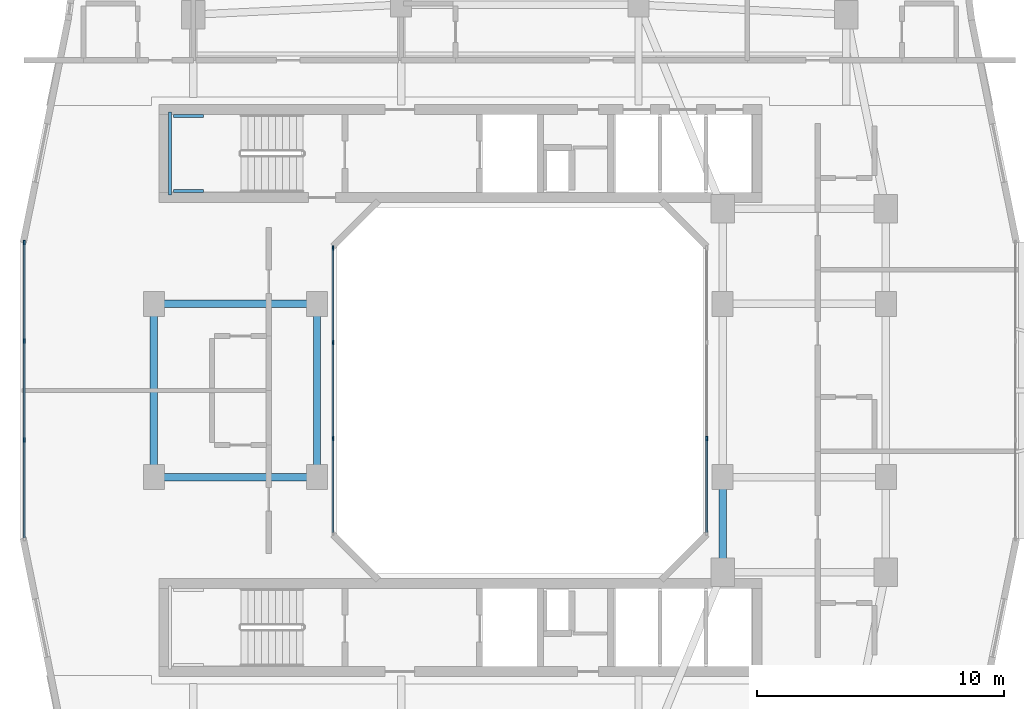
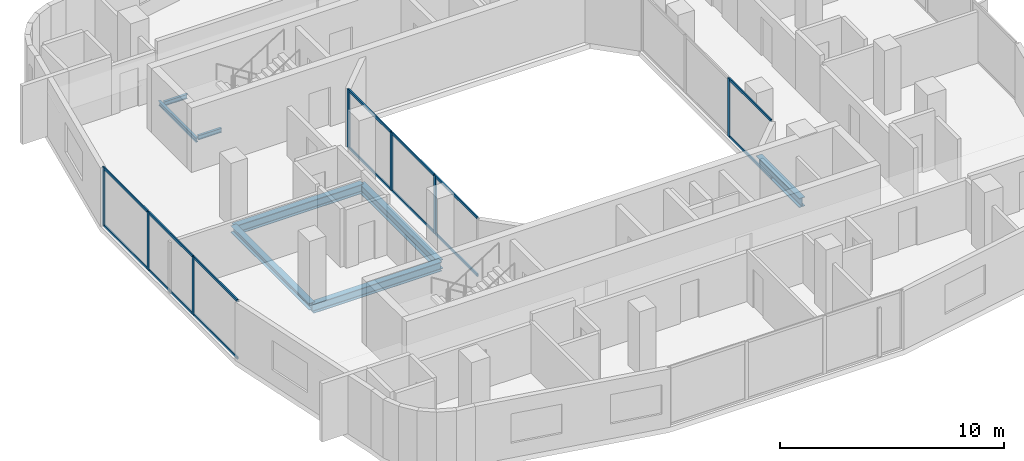
# One storey, part 3 of 26: 21 members, 8 beams, 3 elements without a shape of their own.
"""IFC4 building model written with IfcOpenShell, lengths in metres."""

from ifc_helpers import new_model, si_unit, derived_unit, direction, frame, origin, origin_2d, place, context, subcontext, project, spatial, rectangle, i_section, extrude, material, layer, layer_set, material_profile, profile_set, type_object, element, aggregate, save


model = new_model("IFC4")

# Units and contexts
model_context = context("Model", 3, precision=1e-05, world=origin(), true_north=direction((0.0, 1.0)))
body_context = subcontext(model_context, "Body", "Model", "MODEL_VIEW")
ifc_project = project(units=[si_unit("LENGTHUNIT", "METRE"), si_unit("AREAUNIT", "SQUARE_METRE"), si_unit("VOLUMEUNIT", "CUBIC_METRE"), si_unit("PLANEANGLEUNIT", "RADIAN"), si_unit("MASSUNIT", "GRAM", prefix="KILO"), derived_unit("THERMALTRANSMITTANCEUNIT", [(si_unit("POWERUNIT", "WATT"), 1), (si_unit("LENGTHUNIT", "METRE"), -2), (si_unit("THERMODYNAMICTEMPERATUREUNIT", "KELVIN"), -1)])], contexts=[model_context])

# Site, building, storey
site_placement = place(None, origin())
site = spatial("IfcSite", under=ifc_project, at=site_placement, CompositionType="ELEMENT")
building_placement = place(site_placement, origin())
building = spatial("IfcBuilding", under=site, at=building_placement, Name="Kivonza Crest Hotel", CompositionType="ELEMENT")
storey_placement = place(building_placement, frame((0.0, 0.0, 116.0)))
storey = spatial("IfcBuildingStorey", under=building, at=storey_placement, Name="L31", CompositionType="ELEMENT", Elevation=116.0)

# Beams
ifc_material_1 = material(Name="Steel S355", Category="steel")
ifc_material_profile_1 = material_profile(ifc_material_1, i_section(OverallWidth=0.300048828125, OverallDepth=0.360107421875, WebThickness=0.012451171875, FlangeThickness=0.0224609375, FilletRadius=0.027099609375, at=origin_2d()), Name="HEB 360")
ifc_profile_set_1 = profile_set([ifc_material_profile_1], Name="Steel S355")
beam_type_1 = type_object("IfcBeamType", Name="BM-HEB360", PredefinedType="SPANDREL", material=ifc_profile_set_1)
beam_1_placement = place(storey_placement, frame((6.199951171875, 28.5, -0.4599609375), z_axis=(0.0, -1.0, 0.0), x_axis=(1.0, 0.0, 0.0)))
element("IfcBeam", 1, at=beam_1_placement, inside=storey, type_object=beam_type_1, Name="Tower T1 L31 perimeter spandrel W2-W1", PredefinedType="SPANDREL", context=body_context, shape_type="SweptSolid", body=[
    extrude(i_section(OverallWidth=0.300048828125, OverallDepth=0.360107421875, WebThickness=0.012451171875, FlangeThickness=0.0224609375, FilletRadius=0.027099609375, at=origin_2d()), origin(), (0.0, 0.0, 1.0), 7.0),
])
ifc_material_profile_2 = material_profile(ifc_material_1, i_section(OverallWidth=0.300048828125, OverallDepth=0.5, WebThickness=0.014404296875, FlangeThickness=0.028076171875, FilletRadius=0.027099609375, at=origin_2d()), Name="HEB 500")
ifc_profile_set_2 = profile_set([ifc_material_profile_2], Name="Steel S355")
beam_type_2 = type_object("IfcBeamType", Name="BM-HEB500", PredefinedType="BEAM", material=ifc_profile_set_2)
for number, where, z_axis, x_axis, name in (
    (2, (6.199951171875, 21.5, -0.530029296875), (1.0, 0.0, 0.0), (0.0, 1.0, 0.0), "Tower T1 L31 primary girder W1-WL1"),
    (3, (6.199951171875, 28.5, -0.530029296875), (1.0, 0.0, 0.0), (0.0, 1.0, 0.0), "Tower T1 L31 primary girder W2-WL2"),
):
    element("IfcBeam", number, at=place(storey_placement, frame(where, z_axis=z_axis, x_axis=x_axis)), inside=storey, type_object=beam_type_2, Name=name, PredefinedType="BEAM", context=body_context, shape_type="SweptSolid", body=[
        extrude(i_section(OverallWidth=0.300048828125, OverallDepth=0.5, WebThickness=0.014404296875, FlangeThickness=0.028076171875, FilletRadius=0.027099609375, at=origin_2d()), origin(), (0.0, 0.0, 1.0), 6.60009765625),
    ])
beam_2_placement = place(storey_placement, frame((12.800048828125, 21.5, -0.530029296875), z_axis=(0.0, 1.0, 0.0), x_axis=(-1.0, 0.0, 0.0)))
element("IfcBeam", 4, at=beam_2_placement, inside=storey, type_object=beam_type_2, Name="Tower T1 L31 primary girder WL1-WL2", PredefinedType="BEAM", context=body_context, shape_type="SweptSolid", body=[
    extrude(i_section(OverallWidth=0.300048828125, OverallDepth=0.5, WebThickness=0.014404296875, FlangeThickness=0.028076171875, FilletRadius=0.027099609375, at=origin_2d()), origin(), (0.0, 0.0, 1.0), 7.0),
])
beam_3_placement = place(storey_placement, frame((29.199951171875, 17.64990234375, -0.530029296875), z_axis=(0.0, 1.0, 0.0), x_axis=(-1.0, 0.0, 0.0)))
element("IfcBeam", 5, at=beam_3_placement, inside=storey, type_object=beam_type_2, Name="Tower T1 L31 primary girder TSE-WR1", PredefinedType="BEAM", context=body_context, shape_type="SweptSolid", body=[
    extrude(i_section(OverallWidth=0.300048828125, OverallDepth=0.5, WebThickness=0.014404296875, FlangeThickness=0.028076171875, FilletRadius=0.027099609375, at=origin_2d()), origin(), (0.0, 0.0, 1.0), 3.85009765625),
])
ifc_material_profile_3 = material_profile(ifc_material_1, i_section(OverallWidth=0.1201171875, OverallDepth=0.239990234375, WebThickness=0.006103515625, FlangeThickness=0.009765625, FilletRadius=0.014892578125, at=origin_2d()), Name="IPE 240")
ifc_profile_set_3 = profile_set([ifc_material_profile_3], Name="Steel S355")
beam_type_3 = type_object("IfcBeamType", Name="BM-LLDG-240", PredefinedType="BEAM", material=ifc_profile_set_3)
beam_4_placement = place(storey_placement, frame((6.860107421875, 32.89990234375, 1.429931640625), z_axis=(0.0, 1.0, 0.0), x_axis=(-1.0, 0.0, 0.0)))
element("IfcBeam", 6, at=beam_4_placement, inside=storey, type_object=beam_type_3, Name="Stair ST-T1-N L31 West landing corbel", PredefinedType="BEAM", context=body_context, shape_type="SweptSolid", body=[
    extrude(i_section(OverallWidth=0.1201171875, OverallDepth=0.239990234375, WebThickness=0.006103515625, FlangeThickness=0.009765625, FilletRadius=0.014892578125, at=origin_2d()), origin(), (0.0, 0.0, 1.0), 3.360107421875),
])
for number, where, z_axis, x_axis, name in (
    (7, (6.989990234375, 33.06005859375, 1.429931640625), (1.0, 0.0, 0.0), (0.0, 1.0, 0.0), "Stair ST-T1-N L31 South landing corbel"),
    (8, (6.989990234375, 36.10009765625, 1.429931640625), (1.0, 0.0, 0.0), (0.0, 1.0, 0.0), "Stair ST-T1-N L31 North landing corbel"),
):
    element("IfcBeam", number, at=place(storey_placement, frame(where, z_axis=z_axis, x_axis=x_axis)), inside=storey, type_object=beam_type_3, Name=name, PredefinedType="BEAM", context=body_context, shape_type="SweptSolid", body=[
        extrude(i_section(OverallWidth=0.1201171875, OverallDepth=0.239990234375, WebThickness=0.006103515625, FlangeThickness=0.009765625, FilletRadius=0.014892578125, at=origin_2d()), origin(), (0.0, 0.0, 1.0), 1.2099609375),
    ])

# Curtain wall, members
ifc_material_2 = material(Name="Anodised bronze aluminium and low-E double glazing", Category="aluminium")
ifc_layer_1 = layer(ifc_material_2, 0.179931640625)
ifc_layer_set_1 = layer_set([ifc_layer_1], Name="Anodised bronze aluminium and low-E double glazing")
curtain_wall_type_1 = type_object("IfcCurtainWallType", Name="CW-SYS-2", PredefinedType="NOTDEFINED", material=ifc_layer_set_1)
curtain_wall_1_placement = place(storey_placement, origin())
curtain_wall_1 = element("IfcCurtainWall", 9, at=curtain_wall_1_placement, inside=storey, type_object=curtain_wall_type_1, Name="L31 unitised curtain wall CW-T1-L31-35", PredefinedType="NOTDEFINED")
ifc_material_3 = material(Name="Anodised bronze aluminium", Category="aluminium")
ifc_material_profile_4 = material_profile(ifc_material_3, rectangle(XDim=0.06494140625, YDim=0.179931640625, at=origin_2d()), Name="CW-M 65x180")
ifc_profile_set_4 = profile_set([ifc_material_profile_4], Name="Anodised bronze aluminium")
member_type_1 = type_object("IfcMemberType", Name="CW-MUL-65x180", PredefinedType="MULLION", material=ifc_profile_set_4)
member_1_placement = place(storey_placement, frame((0.9599609375, 30.987548828125, 0.0), z_axis=(0.0, 0.0, 1.0), x_axis=(1.0, 0.0, 0.0)))
member_1 = element("IfcMember", 10, at=member_1_placement, type_object=member_type_1, Name="CW-2 mullion 1", PredefinedType="MULLION", context=body_context, shape_type="SweptSolid", body=[
    extrude(rectangle(XDim=0.06494140625, YDim=0.179931640625, at=origin_2d()), origin(), (0.0, 0.0, 1.0), 3.179931640625),
])
member_2_placement = place(storey_placement, frame((0.9599609375, 27.006591796875, 0.0), z_axis=(0.0, 0.0, 1.0), x_axis=(1.0, 0.0, 0.0)))
member_2 = element("IfcMember", 11, at=member_2_placement, type_object=member_type_1, Name="CW-2 mullion 2", PredefinedType="MULLION", context=body_context, shape_type="SweptSolid", body=[
    extrude(rectangle(XDim=0.06494140625, YDim=0.179931640625, at=origin_2d()), origin(), (0.0, 0.0, 1.0), 3.179931640625),
])
member_3_placement = place(storey_placement, frame((0.9599609375, 22.993408203125, 0.0), z_axis=(0.0, 0.0, 1.0), x_axis=(1.0, 0.0, 0.0)))
member_3 = element("IfcMember", 12, at=member_3_placement, type_object=member_type_1, Name="CW-2 mullion 3", PredefinedType="MULLION", context=body_context, shape_type="SweptSolid", body=[
    extrude(rectangle(XDim=0.06494140625, YDim=0.179931640625, at=origin_2d()), origin(), (0.0, 0.0, 1.0), 3.179931640625),
])

# Curtain wall, member
ifc_layer_2 = layer(ifc_material_2, 0.159912109375)
ifc_layer_set_2 = layer_set([ifc_layer_2], Name="Anodised bronze aluminium and low-E double glazing")
curtain_wall_type_2 = type_object("IfcCurtainWallType", Name="CW-SYS-5", PredefinedType="NOTDEFINED", material=ifc_layer_set_2)
curtain_wall_2_placement = place(storey_placement, origin())
curtain_wall_2 = element("IfcCurtainWall", 13, at=curtain_wall_2_placement, inside=storey, type_object=curtain_wall_type_2, Name="L31 unitised curtain wall CW-WELL-T1-L31-3", PredefinedType="NOTDEFINED")
member_4_placement = place(storey_placement, frame((28.56005859375, 23.066650390625, 0.0), z_axis=(0.0, 0.0, 1.0), x_axis=(-1.0, 0.0, 0.0)))
member_4 = element("IfcMember", 14, at=member_4_placement, type_object=member_type_1, Name="CW-5 mullion 2", PredefinedType="MULLION", context=body_context, shape_type="SweptSolid", body=[
    extrude(rectangle(XDim=0.06494140625, YDim=0.179931640625, at=origin_2d()), origin(), (0.0, 0.0, 1.0), 3.179931640625),
])

# Curtain wall, members
curtain_wall_3_placement = place(storey_placement, origin())
curtain_wall_3 = element("IfcCurtainWall", 15, at=curtain_wall_3_placement, inside=storey, type_object=curtain_wall_type_2, Name="L31 unitised curtain wall CW-WELL-T1-L31-7", PredefinedType="NOTDEFINED")
member_5_placement = place(storey_placement, frame((13.43994140625, 30.767578125, 0.0), z_axis=(0.0, 0.0, 1.0), x_axis=(1.0, 0.0, 0.0)))
member_5 = element("IfcMember", 16, at=member_5_placement, type_object=member_type_1, Name="CW-5 mullion 1", PredefinedType="MULLION", context=body_context, shape_type="SweptSolid", body=[
    extrude(rectangle(XDim=0.06494140625, YDim=0.179931640625, at=origin_2d()), origin(), (0.0, 0.0, 1.0), 3.179931640625),
])
member_6_placement = place(storey_placement, frame((13.43994140625, 26.933349609375, 0.0), z_axis=(0.0, 0.0, 1.0), x_axis=(1.0, 0.0, 0.0)))
member_6 = element("IfcMember", 17, at=member_6_placement, type_object=member_type_1, Name="CW-5 mullion 2", PredefinedType="MULLION", context=body_context, shape_type="SweptSolid", body=[
    extrude(rectangle(XDim=0.06494140625, YDim=0.179931640625, at=origin_2d()), origin(), (0.0, 0.0, 1.0), 3.179931640625),
])
member_7_placement = place(storey_placement, frame((13.43994140625, 23.066650390625, 0.0), z_axis=(0.0, 0.0, 1.0), x_axis=(1.0, 0.0, 0.0)))
member_7 = element("IfcMember", 18, at=member_7_placement, type_object=member_type_1, Name="CW-5 mullion 3", PredefinedType="MULLION", context=body_context, shape_type="SweptSolid", body=[
    extrude(rectangle(XDim=0.06494140625, YDim=0.179931640625, at=origin_2d()), origin(), (0.0, 0.0, 1.0), 3.179931640625),
])

# Member
ifc_material_profile_5 = material_profile(ifc_material_3, rectangle(XDim=0.06494140625, YDim=0.139892578125, at=origin_2d()), Name="CW-T 65x140")
ifc_profile_set_5 = profile_set([ifc_material_profile_5], Name="Anodised bronze aluminium")
member_type_2 = type_object("IfcMemberType", Name="CW-TRN-65x140", PredefinedType="USERDEFINED", material=ifc_profile_set_5)
member_8_placement = place(storey_placement, frame((0.9599609375, 30.955078125, 0.032470703125), z_axis=(0.0, -1.0, 0.0), x_axis=(1.0, 0.0, 0.0)))
member_8 = element("IfcMember", 19, at=member_8_placement, type_object=member_type_2, Name="CW-2 transom 1.1", ObjectType="TRANSOM", PredefinedType="USERDEFINED", context=body_context, shape_type="SweptSolid", body=[
    extrude(rectangle(XDim=0.06494140625, YDim=0.139892578125, at=origin_2d()), origin(), (0.0, 0.0, 1.0), 3.916015625),
])

member_9_placement = place(storey_placement, frame((0.9599609375, 30.955078125, 3.1474609375), z_axis=(0.0, -1.0, 0.0), x_axis=(1.0, 0.0, 0.0)))
member_9 = element("IfcMember", 20, at=member_9_placement, type_object=member_type_2, Name="CW-2 transom 1.2", ObjectType="TRANSOM", PredefinedType="USERDEFINED", context=body_context, shape_type="SweptSolid", body=[
    extrude(rectangle(XDim=0.06494140625, YDim=0.139892578125, at=origin_2d()), origin(), (0.0, 0.0, 1.0), 3.916015625),
])

member_10_placement = place(storey_placement, frame((0.9599609375, 26.97412109375, 0.032470703125), z_axis=(0.0, -1.0, 0.0), x_axis=(1.0, 0.0, 0.0)))
member_10 = element("IfcMember", 21, at=member_10_placement, type_object=member_type_2, Name="CW-2 transom 2.1", ObjectType="TRANSOM", PredefinedType="USERDEFINED", context=body_context, shape_type="SweptSolid", body=[
    extrude(rectangle(XDim=0.06494140625, YDim=0.139892578125, at=origin_2d()), origin(), (0.0, 0.0, 1.0), 3.9482421875),
])

member_11_placement = place(storey_placement, frame((0.9599609375, 26.97412109375, 3.1474609375), z_axis=(0.0, -1.0, 0.0), x_axis=(1.0, 0.0, 0.0)))
member_11 = element("IfcMember", 22, at=member_11_placement, type_object=member_type_2, Name="CW-2 transom 2.2", ObjectType="TRANSOM", PredefinedType="USERDEFINED", context=body_context, shape_type="SweptSolid", body=[
    extrude(rectangle(XDim=0.06494140625, YDim=0.139892578125, at=origin_2d()), origin(), (0.0, 0.0, 1.0), 3.9482421875),
])

member_12_placement = place(storey_placement, frame((0.9599609375, 22.9609375, 0.032470703125), z_axis=(0.0, -1.0, 0.0), x_axis=(1.0, 0.0, 0.0)))
member_12 = element("IfcMember", 23, at=member_12_placement, type_object=member_type_2, Name="CW-2 transom 3.1", ObjectType="TRANSOM", PredefinedType="USERDEFINED", context=body_context, shape_type="SweptSolid", body=[
    extrude(rectangle(XDim=0.06494140625, YDim=0.139892578125, at=origin_2d()), origin(), (0.0, 0.0, 1.0), 3.916015625),
])

member_13_placement = place(storey_placement, frame((0.9599609375, 22.9609375, 3.1474609375), z_axis=(0.0, -1.0, 0.0), x_axis=(1.0, 0.0, 0.0)))
member_13 = element("IfcMember", 24, at=member_13_placement, type_object=member_type_2, Name="CW-2 transom 3.2", ObjectType="TRANSOM", PredefinedType="USERDEFINED", context=body_context, shape_type="SweptSolid", body=[
    extrude(rectangle(XDim=0.06494140625, YDim=0.139892578125, at=origin_2d()), origin(), (0.0, 0.0, 1.0), 3.916015625),
])

aggregate(curtain_wall_1, [member_1, member_2, member_3, member_8, member_9, member_10, member_11, member_12, member_13])

member_14_placement = place(storey_placement, frame((28.56005859375, 19.264892578125, 0.032470703125), z_axis=(0.0, 1.0, 0.0), x_axis=(-1.0, 0.0, 0.0)))
member_14 = element("IfcMember", 25, at=member_14_placement, type_object=member_type_2, Name="CW-5 transom 1.1", ObjectType="TRANSOM", PredefinedType="USERDEFINED", context=body_context, shape_type="SweptSolid", body=[
    extrude(rectangle(XDim=0.06494140625, YDim=0.139892578125, at=origin_2d()), origin(), (0.0, 0.0, 1.0), 3.769287109375),
])

member_15_placement = place(storey_placement, frame((28.56005859375, 19.264892578125, 3.1474609375), z_axis=(0.0, 1.0, 0.0), x_axis=(-1.0, 0.0, 0.0)))
member_15 = element("IfcMember", 26, at=member_15_placement, type_object=member_type_2, Name="CW-5 transom 1.2", ObjectType="TRANSOM", PredefinedType="USERDEFINED", context=body_context, shape_type="SweptSolid", body=[
    extrude(rectangle(XDim=0.06494140625, YDim=0.139892578125, at=origin_2d()), origin(), (0.0, 0.0, 1.0), 3.769287109375),
])

aggregate(curtain_wall_2, [member_4, member_14, member_15])

member_16_placement = place(storey_placement, frame((13.43994140625, 30.735107421875, 0.032470703125), z_axis=(0.0, -1.0, 0.0), x_axis=(1.0, 0.0, 0.0)))
member_16 = element("IfcMember", 27, at=member_16_placement, type_object=member_type_2, Name="CW-5 transom 1.1", ObjectType="TRANSOM", PredefinedType="USERDEFINED", context=body_context, shape_type="SweptSolid", body=[
    extrude(rectangle(XDim=0.06494140625, YDim=0.139892578125, at=origin_2d()), origin(), (0.0, 0.0, 1.0), 3.769287109375),
])

member_17_placement = place(storey_placement, frame((13.43994140625, 30.735107421875, 3.1474609375), z_axis=(0.0, -1.0, 0.0), x_axis=(1.0, 0.0, 0.0)))
member_17 = element("IfcMember", 28, at=member_17_placement, type_object=member_type_2, Name="CW-5 transom 1.2", ObjectType="TRANSOM", PredefinedType="USERDEFINED", context=body_context, shape_type="SweptSolid", body=[
    extrude(rectangle(XDim=0.06494140625, YDim=0.139892578125, at=origin_2d()), origin(), (0.0, 0.0, 1.0), 3.769287109375),
])

member_18_placement = place(storey_placement, frame((13.43994140625, 26.90087890625, 0.032470703125), z_axis=(0.0, -1.0, 0.0), x_axis=(1.0, 0.0, 0.0)))
member_18 = element("IfcMember", 29, at=member_18_placement, type_object=member_type_2, Name="CW-5 transom 2.1", ObjectType="TRANSOM", PredefinedType="USERDEFINED", context=body_context, shape_type="SweptSolid", body=[
    extrude(rectangle(XDim=0.06494140625, YDim=0.139892578125, at=origin_2d()), origin(), (0.0, 0.0, 1.0), 3.8017578125),
])

member_19_placement = place(storey_placement, frame((13.43994140625, 26.90087890625, 3.1474609375), z_axis=(0.0, -1.0, 0.0), x_axis=(1.0, 0.0, 0.0)))
member_19 = element("IfcMember", 30, at=member_19_placement, type_object=member_type_2, Name="CW-5 transom 2.2", ObjectType="TRANSOM", PredefinedType="USERDEFINED", context=body_context, shape_type="SweptSolid", body=[
    extrude(rectangle(XDim=0.06494140625, YDim=0.139892578125, at=origin_2d()), origin(), (0.0, 0.0, 1.0), 3.8017578125),
])

member_20_placement = place(storey_placement, frame((13.43994140625, 23.0341796875, 0.032470703125), z_axis=(0.0, -1.0, 0.0), x_axis=(1.0, 0.0, 0.0)))
member_20 = element("IfcMember", 31, at=member_20_placement, type_object=member_type_2, Name="CW-5 transom 3.1", ObjectType="TRANSOM", PredefinedType="USERDEFINED", context=body_context, shape_type="SweptSolid", body=[
    extrude(rectangle(XDim=0.06494140625, YDim=0.139892578125, at=origin_2d()), origin(), (0.0, 0.0, 1.0), 3.769287109375),
])

member_21_placement = place(storey_placement, frame((13.43994140625, 23.0341796875, 3.1474609375), z_axis=(0.0, -1.0, 0.0), x_axis=(1.0, 0.0, 0.0)))
member_21 = element("IfcMember", 32, at=member_21_placement, type_object=member_type_2, Name="CW-5 transom 3.2", ObjectType="TRANSOM", PredefinedType="USERDEFINED", context=body_context, shape_type="SweptSolid", body=[
    extrude(rectangle(XDim=0.06494140625, YDim=0.139892578125, at=origin_2d()), origin(), (0.0, 0.0, 1.0), 3.769287109375),
])

aggregate(curtain_wall_3, [member_5, member_6, member_7, member_16, member_17, member_18, member_19, member_20, member_21])

save(model, "model.ifc")
